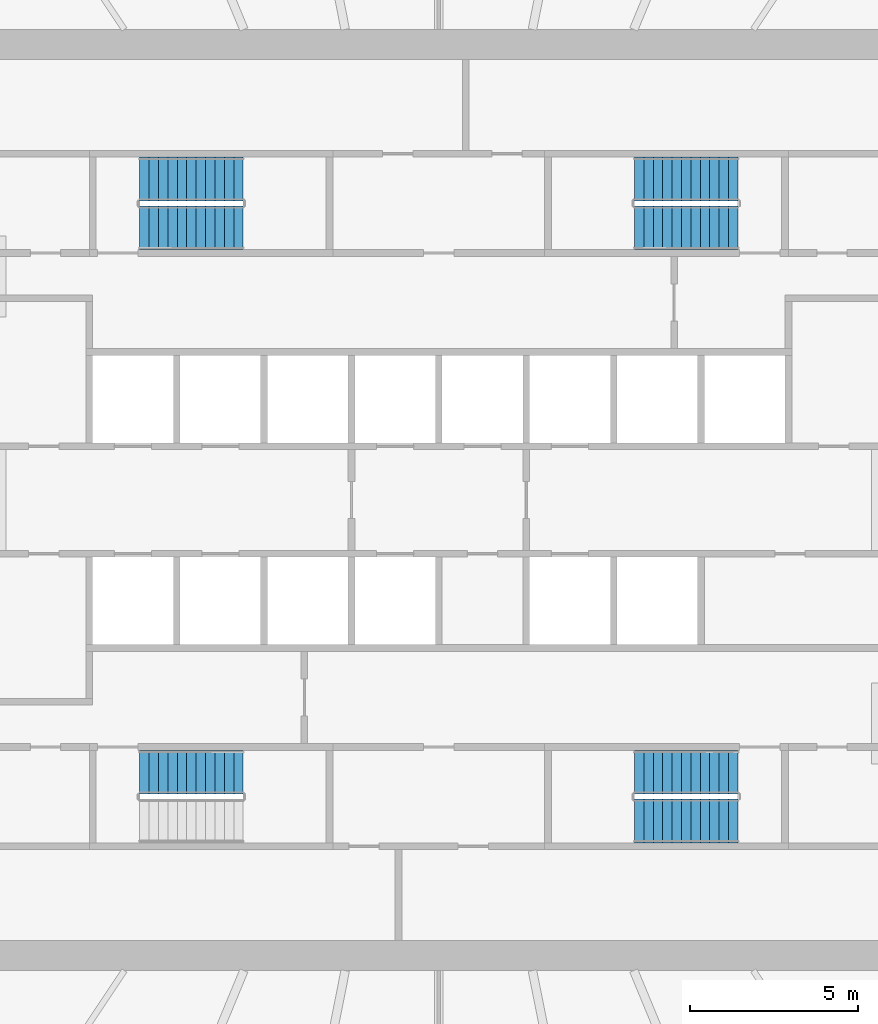
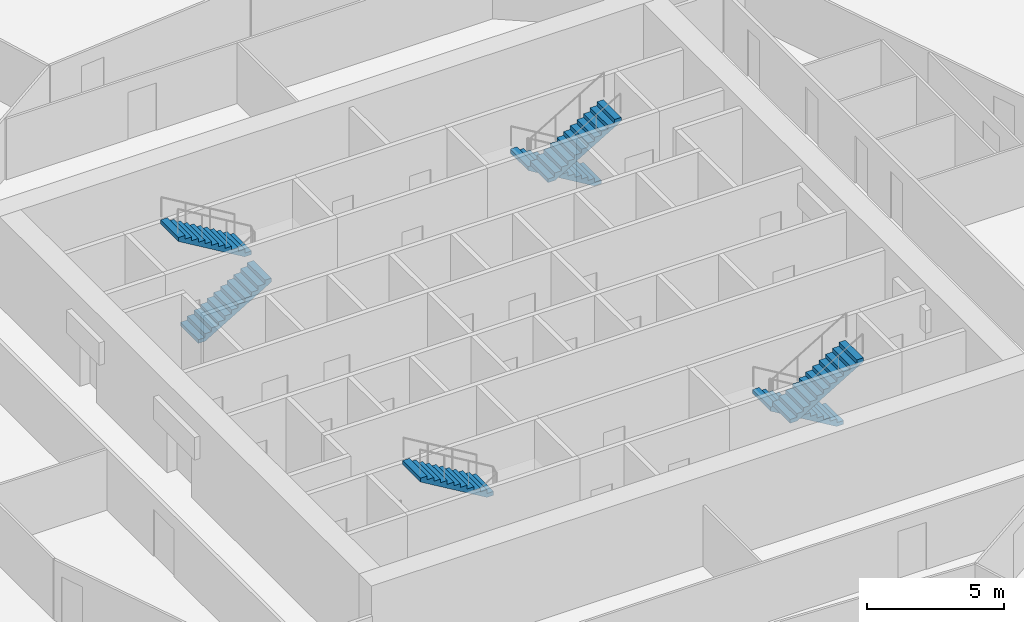
# One storey, part 8 of 9: 7 stair flights, 4 elements without a shape of their own.
"""IFC4 building model written with IfcOpenShell, lengths in metres."""

from ifc_helpers import new_model, si_unit, direction, frame, origin, place, context, subcontext, project, spatial, polyline, outline, extrude, material, type_object, element, aggregate, save


model = new_model("IFC4")

# Units and contexts
model_context = context("Model", 3, precision=1e-05, world=origin(), true_north=direction((0.0, 1.0)))
body_context = subcontext(model_context, "Body", "Model", "MODEL_VIEW")
ifc_project = project(units=[si_unit("LENGTHUNIT", "METRE"), si_unit("AREAUNIT", "SQUARE_METRE"), si_unit("VOLUMEUNIT", "CUBIC_METRE"), si_unit("PLANEANGLEUNIT", "RADIAN"), si_unit("MASSUNIT", "GRAM", prefix="KILO")], contexts=[model_context])

# Site, building, storey
site_placement = place(None, origin())
site = spatial("IfcSite", under=ifc_project, at=site_placement, CompositionType="ELEMENT")
building_placement = place(site_placement, origin())
building = spatial("IfcBuilding", under=site, at=building_placement, Name="Corvane Civic Tower", CompositionType="ELEMENT")
storey_placement = place(building_placement, frame((0.0, 0.0, 184.0)))
storey = spatial("IfcBuildingStorey", under=building, at=storey_placement, Name="L43", CompositionType="ELEMENT", Elevation=184.0)

# Stair, stair flights
ifc_material_1 = material(Name="Concrete C40/50", Category="concrete")
stair_type = type_object("IfcStairType", Name="ST-STAIR-HALFTURN", PredefinedType="HALF_TURN_STAIR", material=ifc_material_1)
stair_1_placement = place(storey_placement, origin())
stair_1 = element("IfcStair", 1, at=stair_1_placement, inside=storey, type_object=stair_type, Name="L43 Exit stair ST1", PredefinedType="HALF_TURN_STAIR")
ifc_material_2 = material(Name="Concrete C40/50", Category="concrete")
stair_flight_type = type_object("IfcStairFlightType", Name="ST-FLIGHT-RC", PredefinedType="STRAIGHT", material=ifc_material_2)
stair_flight_1_placement = place(storey_placement, frame((8.89990234375, 9.550048828125, 0.0), z_axis=(0.0, 0.0, 1.0), x_axis=(-1.0, 0.0, 0.0)))
stair_flight_1 = element("IfcStairFlight", 2, at=stair_flight_1_placement, type_object=stair_flight_type, Name="ST1 flight 1", NumberOfRisers=12, NumberOfTreads=11, PredefinedType="STRAIGHT", RiserHeight=0.166666667, TreadLength=0.28, context=body_context, shape_type="SweptSolid", body=[
    extrude(outline(polyline([(0.0, 0.0), (0.0, 0.166748046875), (0.280029296875, 0.166748046875), (0.280029296875, 0.333251953125), (0.56005859375, 0.333251953125), (0.56005859375, 0.5), (0.840087890625, 0.5), (0.840087890625, 0.666748046875), (1.1201171875, 0.666748046875), (1.1201171875, 0.833251953125), (1.39990234375, 0.833251953125), (1.39990234375, 1.0), (1.679931640625, 1.0), (1.679931640625, 1.166748046875), (1.9599609375, 1.166748046875), (1.9599609375, 1.333251953125), (2.239990234375, 1.333251953125), (2.239990234375, 1.5), (2.52001953125, 1.5), (2.52001953125, 1.666748046875), (2.800048828125, 1.666748046875), (2.800048828125, 1.833251953125), (3.080078125, 1.833251953125), (3.080078125, 2.0), (3.080078125, 1.658935546875), (0.29296875, 0.0), (0.0, 0.0)])), frame((0.0, 0.64990234375, 0.0), z_axis=(0.0, -1.0, 0.0), x_axis=(1.0, 0.0, 0.0)), (0.0, 0.0, 1.0), 1.300048828125),
])
stair_flight_2_placement = place(storey_placement, frame((5.820068359375, 8.10009765625, 2.0), z_axis=(0.0, 0.0, 1.0), x_axis=(1.0, 0.0, 0.0)))
stair_flight_2 = element("IfcStairFlight", 3, at=stair_flight_2_placement, type_object=stair_flight_type, Name="ST1 flight 2", NumberOfRisers=12, NumberOfTreads=11, PredefinedType="STRAIGHT", RiserHeight=0.166666667, TreadLength=0.28, context=body_context, shape_type="SweptSolid", body=[
    extrude(outline(polyline([(0.0, 0.0), (0.0, 0.166748046875), (0.280029296875, 0.166748046875), (0.280029296875, 0.333251953125), (0.56005859375, 0.333251953125), (0.56005859375, 0.5), (0.840087890625, 0.5), (0.840087890625, 0.666748046875), (1.1201171875, 0.666748046875), (1.1201171875, 0.833251953125), (1.39990234375, 0.833251953125), (1.39990234375, 1.0), (1.679931640625, 1.0), (1.679931640625, 1.166748046875), (1.9599609375, 1.166748046875), (1.9599609375, 1.333251953125), (2.239990234375, 1.333251953125), (2.239990234375, 1.5), (2.52001953125, 1.5), (2.52001953125, 1.666748046875), (2.800048828125, 1.666748046875), (2.800048828125, 1.833251953125), (3.080078125, 1.833251953125), (3.080078125, 2.0), (3.080078125, 1.658935546875), (0.29296875, 0.0), (0.0, 0.0)])), frame((0.0, 0.64990234375, 0.0), z_axis=(0.0, -1.0, 0.0), x_axis=(1.0, 0.0, 0.0)), (0.0, 0.0, 1.0), 1.300048828125),
])
aggregate(stair_1, [stair_flight_1, stair_flight_2])

stair_2_placement = place(storey_placement, origin())
stair_2 = element("IfcStair", 4, at=stair_2_placement, inside=storey, type_object=stair_type, Name="L43 Exit stair ST2", PredefinedType="HALF_TURN_STAIR")
stair_flight_3_placement = place(storey_placement, frame((8.89990234375, -8.10009765625, 0.0), z_axis=(0.0, 0.0, 1.0), x_axis=(-1.0, 0.0, 0.0)))
stair_flight_3 = element("IfcStairFlight", 5, at=stair_flight_3_placement, type_object=stair_flight_type, Name="ST2 flight 1", NumberOfRisers=12, NumberOfTreads=11, PredefinedType="STRAIGHT", RiserHeight=0.166666667, TreadLength=0.28, context=body_context, shape_type="SweptSolid", body=[
    extrude(outline(polyline([(0.0, 0.0), (0.0, 0.166748046875), (0.280029296875, 0.166748046875), (0.280029296875, 0.333251953125), (0.56005859375, 0.333251953125), (0.56005859375, 0.5), (0.840087890625, 0.5), (0.840087890625, 0.666748046875), (1.1201171875, 0.666748046875), (1.1201171875, 0.833251953125), (1.39990234375, 0.833251953125), (1.39990234375, 1.0), (1.679931640625, 1.0), (1.679931640625, 1.166748046875), (1.9599609375, 1.166748046875), (1.9599609375, 1.333251953125), (2.239990234375, 1.333251953125), (2.239990234375, 1.5), (2.52001953125, 1.5), (2.52001953125, 1.666748046875), (2.800048828125, 1.666748046875), (2.800048828125, 1.833251953125), (3.080078125, 1.833251953125), (3.080078125, 2.0), (3.080078125, 1.658935546875), (0.29296875, 0.0), (0.0, 0.0)])), frame((0.0, 0.64990234375, 0.0), z_axis=(0.0, -1.0, 0.0), x_axis=(1.0, 0.0, 0.0)), (0.0, 0.0, 1.0), 1.300048828125),
])
stair_flight_4_placement = place(storey_placement, frame((5.820068359375, -9.550048828125, 2.0), z_axis=(0.0, 0.0, 1.0), x_axis=(1.0, 0.0, 0.0)))
stair_flight_4 = element("IfcStairFlight", 6, at=stair_flight_4_placement, type_object=stair_flight_type, Name="ST2 flight 2", NumberOfRisers=12, NumberOfTreads=11, PredefinedType="STRAIGHT", RiserHeight=0.166666667, TreadLength=0.28, context=body_context, shape_type="SweptSolid", body=[
    extrude(outline(polyline([(0.0, 0.0), (0.0, 0.166748046875), (0.280029296875, 0.166748046875), (0.280029296875, 0.333251953125), (0.56005859375, 0.333251953125), (0.56005859375, 0.5), (0.840087890625, 0.5), (0.840087890625, 0.666748046875), (1.1201171875, 0.666748046875), (1.1201171875, 0.833251953125), (1.39990234375, 0.833251953125), (1.39990234375, 1.0), (1.679931640625, 1.0), (1.679931640625, 1.166748046875), (1.9599609375, 1.166748046875), (1.9599609375, 1.333251953125), (2.239990234375, 1.333251953125), (2.239990234375, 1.5), (2.52001953125, 1.5), (2.52001953125, 1.666748046875), (2.800048828125, 1.666748046875), (2.800048828125, 1.833251953125), (3.080078125, 1.833251953125), (3.080078125, 2.0), (3.080078125, 1.658935546875), (0.29296875, 0.0), (0.0, 0.0)])), frame((0.0, 0.64990234375, 0.0), z_axis=(0.0, -1.0, 0.0), x_axis=(1.0, 0.0, 0.0)), (0.0, 0.0, 1.0), 1.300048828125),
])
aggregate(stair_2, [stair_flight_3, stair_flight_4])

# Stair, stair flight
stair_3_placement = place(storey_placement, origin())
stair_3 = element("IfcStair", 7, at=stair_3_placement, inside=storey, type_object=stair_type, Name="L43 Exit stair ST3", PredefinedType="HALF_TURN_STAIR")
stair_flight_5_placement = place(storey_placement, frame((-5.820068359375, -8.10009765625, 2.0), z_axis=(0.0, 0.0, 1.0), x_axis=(-1.0, 0.0, 0.0)))
stair_flight_5 = element("IfcStairFlight", 8, at=stair_flight_5_placement, type_object=stair_flight_type, Name="ST3 flight 2", NumberOfRisers=12, NumberOfTreads=11, PredefinedType="STRAIGHT", RiserHeight=0.166666667, TreadLength=0.28, context=body_context, shape_type="SweptSolid", body=[
    extrude(outline(polyline([(0.0, 0.0), (0.0, 0.166748046875), (0.280029296875, 0.166748046875), (0.280029296875, 0.333251953125), (0.56005859375, 0.333251953125), (0.56005859375, 0.5), (0.840087890625, 0.5), (0.840087890625, 0.666748046875), (1.1201171875, 0.666748046875), (1.1201171875, 0.833251953125), (1.39990234375, 0.833251953125), (1.39990234375, 1.0), (1.679931640625, 1.0), (1.679931640625, 1.166748046875), (1.9599609375, 1.166748046875), (1.9599609375, 1.333251953125), (2.239990234375, 1.333251953125), (2.239990234375, 1.5), (2.52001953125, 1.5), (2.52001953125, 1.666748046875), (2.800048828125, 1.666748046875), (2.800048828125, 1.833251953125), (3.080078125, 1.833251953125), (3.080078125, 2.0), (3.080078125, 1.658935546875), (0.29296875, 0.0), (0.0, 0.0)])), frame((0.0, 0.64990234375, 0.0), z_axis=(0.0, -1.0, 0.0), x_axis=(1.0, 0.0, 0.0)), (0.0, 0.0, 1.0), 1.300048828125),
])
aggregate(stair_3, [stair_flight_5])

# Stair, stair flights
stair_4_placement = place(storey_placement, origin())
stair_4 = element("IfcStair", 9, at=stair_4_placement, inside=storey, type_object=stair_type, Name="L43 Exit stair ST4", PredefinedType="HALF_TURN_STAIR")
stair_flight_6_placement = place(storey_placement, frame((-8.89990234375, 8.10009765625, 0.0), z_axis=(0.0, 0.0, 1.0), x_axis=(1.0, 0.0, 0.0)))
stair_flight_6 = element("IfcStairFlight", 10, at=stair_flight_6_placement, type_object=stair_flight_type, Name="ST4 flight 1", NumberOfRisers=12, NumberOfTreads=11, PredefinedType="STRAIGHT", RiserHeight=0.166666667, TreadLength=0.28, context=body_context, shape_type="SweptSolid", body=[
    extrude(outline(polyline([(0.0, 0.0), (0.0, 0.166748046875), (0.280029296875, 0.166748046875), (0.280029296875, 0.333251953125), (0.56005859375, 0.333251953125), (0.56005859375, 0.5), (0.840087890625, 0.5), (0.840087890625, 0.666748046875), (1.1201171875, 0.666748046875), (1.1201171875, 0.833251953125), (1.39990234375, 0.833251953125), (1.39990234375, 1.0), (1.679931640625, 1.0), (1.679931640625, 1.166748046875), (1.9599609375, 1.166748046875), (1.9599609375, 1.333251953125), (2.239990234375, 1.333251953125), (2.239990234375, 1.5), (2.52001953125, 1.5), (2.52001953125, 1.666748046875), (2.800048828125, 1.666748046875), (2.800048828125, 1.833251953125), (3.080078125, 1.833251953125), (3.080078125, 2.0), (3.080078125, 1.658935546875), (0.29296875, 0.0), (0.0, 0.0)])), frame((0.0, 0.64990234375, 0.0), z_axis=(0.0, -1.0, 0.0), x_axis=(1.0, 0.0, 0.0)), (0.0, 0.0, 1.0), 1.300048828125),
])
stair_flight_7_placement = place(storey_placement, frame((-5.820068359375, 9.550048828125, 2.0), z_axis=(0.0, 0.0, 1.0), x_axis=(-1.0, 0.0, 0.0)))
stair_flight_7 = element("IfcStairFlight", 11, at=stair_flight_7_placement, type_object=stair_flight_type, Name="ST4 flight 2", NumberOfRisers=12, NumberOfTreads=11, PredefinedType="STRAIGHT", RiserHeight=0.166666667, TreadLength=0.28, context=body_context, shape_type="SweptSolid", body=[
    extrude(outline(polyline([(0.0, 0.0), (0.0, 0.166748046875), (0.280029296875, 0.166748046875), (0.280029296875, 0.333251953125), (0.56005859375, 0.333251953125), (0.56005859375, 0.5), (0.840087890625, 0.5), (0.840087890625, 0.666748046875), (1.1201171875, 0.666748046875), (1.1201171875, 0.833251953125), (1.39990234375, 0.833251953125), (1.39990234375, 1.0), (1.679931640625, 1.0), (1.679931640625, 1.166748046875), (1.9599609375, 1.166748046875), (1.9599609375, 1.333251953125), (2.239990234375, 1.333251953125), (2.239990234375, 1.5), (2.52001953125, 1.5), (2.52001953125, 1.666748046875), (2.800048828125, 1.666748046875), (2.800048828125, 1.833251953125), (3.080078125, 1.833251953125), (3.080078125, 2.0), (3.080078125, 1.658935546875), (0.29296875, 0.0), (0.0, 0.0)])), frame((0.0, 0.64990234375, 0.0), z_axis=(0.0, -1.0, 0.0), x_axis=(1.0, 0.0, 0.0)), (0.0, 0.0, 1.0), 1.300048828125),
])
aggregate(stair_4, [stair_flight_6, stair_flight_7])

save(model, "model.ifc")
